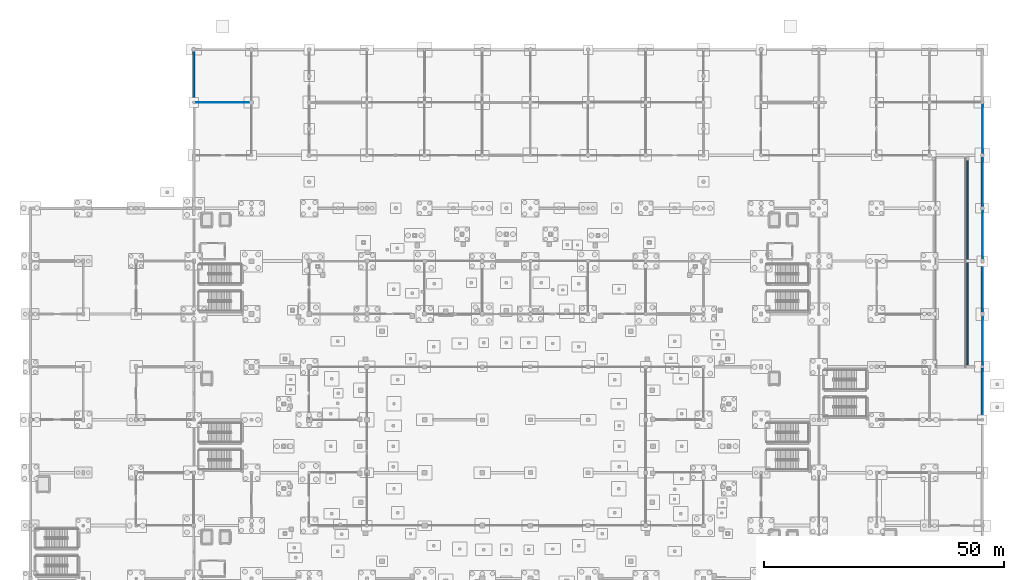
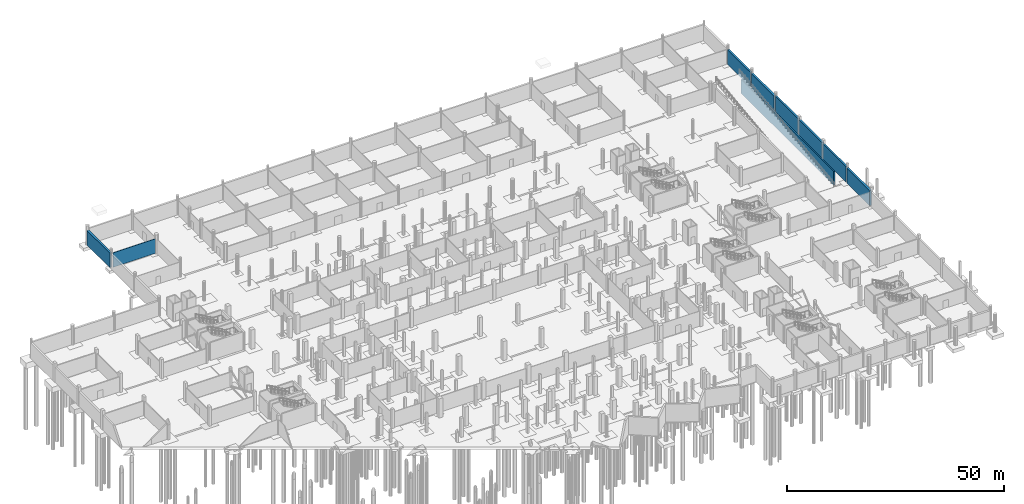
# One storey, part 41 of 60: 9 walls.
"""IFC4 building model written with IfcOpenShell, lengths in metres."""

from ifc_helpers import new_model, si_unit, direction, frame, frame_2d, origin, place, context, subcontext, project, spatial, rectangle, extrude, material, layer, layer_set, type_object, element, save


model = new_model("IFC4")

# Units and contexts
model_context = context("Model", 3, precision=1e-05, world=origin(), true_north=direction((0.0, 1.0)))
body_context = subcontext(model_context, "Body", "Model", "MODEL_VIEW")
ifc_project = project(units=[si_unit("LENGTHUNIT", "METRE"), si_unit("AREAUNIT", "SQUARE_METRE"), si_unit("VOLUMEUNIT", "CUBIC_METRE"), si_unit("PLANEANGLEUNIT", "RADIAN"), si_unit("MASSUNIT", "GRAM", prefix="KILO")], contexts=[model_context])

# Site, building, storey
site_placement = place(None, origin())
site = spatial("IfcSite", under=ifc_project, at=site_placement, CompositionType="ELEMENT")
building_placement = place(site_placement, origin())
building = spatial("IfcBuilding", under=site, at=building_placement, Name="Luwafu Chhajja Arena", CompositionType="ELEMENT")
storey_placement = place(building_placement, frame((0.0, 0.0, -5.39990234375)))
storey = spatial("IfcBuildingStorey", under=building, at=storey_placement, Name="B1", CompositionType="ELEMENT", Elevation=-5.39990234375)

# Walls
ifc_material_1 = material(Name="Acoustic metal-stud gypsum board")
ifc_layer_1 = layer(ifc_material_1, 0.1201171875, Name="Acoustic metal-stud gypsum board")
ifc_layer_set_1 = layer_set([ifc_layer_1], Name="Acoustic metal-stud gypsum board")
wall_type_1 = type_object("IfcWallType", Name="Internal Room Partition 120", PredefinedType="PARTITIONING", material=ifc_layer_set_1)
wall_1_placement = place(storey_placement, frame((34.47998046875, 121.0, 0.0), z_axis=(0.0, 0.0, 1.0), x_axis=(1.0, 0.0, 0.0)))
element("IfcWall", 1, at=wall_1_placement, inside=storey, type_object=wall_type_1, Name="B1 Internal Partition 0105", PredefinedType="PARTITIONING", context=body_context, shape_type="SweptSolid", body=[
    extrude(rectangle(XDim=11.300048828125, YDim=0.1201171875, at=frame_2d((5.64990234375, 0.0))), origin(), (0.0, 0.0, 1.0), 4.079833984375),
])
ifc_material_2 = material(Name="Concrete C40/50", Category="concrete")
ifc_layer_2 = layer(ifc_material_2, 0.43994140625, Name="Concrete C40/50")
ifc_layer_set_2 = layer_set([ifc_layer_2], Name="Concrete C40/50")
wall_type_2 = type_object("IfcWallType", Name="RC Basement Retaining Wall 440", PredefinedType="SOLIDWALL", material=ifc_layer_set_2)
wall_2_placement = place(storey_placement, frame((198.0, 66.2099609375, 0.0), z_axis=(0.0, 0.0, 1.0), x_axis=(0.0, 1.0, 0.0)))
element("IfcWall", 2, at=wall_2_placement, inside=storey, type_object=wall_type_2, Name="B1 Exterior Wall WEX-B1-047", PredefinedType="SOLIDWALL", context=body_context, shape_type="SweptSolid", body=[
    extrude(rectangle(XDim=10.570068359375, YDim=0.43994140625, at=frame_2d((5.28515625, 0.0))), origin(), (0.0, 0.0, 1.0), 4.329833984375),
])
wall_3_placement = place(storey_placement, frame((198.0, 88.219970703125, 0.0), z_axis=(0.0, 0.0, 1.0), x_axis=(0.0, 1.0, 0.0)))
element("IfcWall", 3, at=wall_3_placement, inside=storey, type_object=wall_type_2, Name="B1 Exterior Wall WEX-B1-049", PredefinedType="SOLIDWALL", context=body_context, shape_type="SweptSolid", body=[
    extrude(rectangle(XDim=10.56005859375, YDim=0.43994140625, at=frame_2d((5.280029296875, 0.0))), origin(), (0.0, 0.0, 1.0), 4.429931640625),
])
wall_4_placement = place(storey_placement, frame((198.0, 110.219970703125, 0.0), z_axis=(0.0, 0.0, 1.0), x_axis=(0.0, 1.0, 0.0)))
element("IfcWall", 4, at=wall_4_placement, inside=storey, type_object=wall_type_2, Name="B1 Exterior Wall WEX-B1-051", PredefinedType="SOLIDWALL", context=body_context, shape_type="SweptSolid", body=[
    extrude(rectangle(XDim=10.56005859375, YDim=0.43994140625, at=frame_2d((5.280029296875, 0.0))), origin(), (0.0, 0.0, 1.0), 4.1298828125),
])
ifc_layer_3 = layer(ifc_material_2, 0.52001953125, Name="Concrete C40/50")
ifc_layer_set_3 = layer_set([ifc_layer_3], Name="Concrete C40/50")
wall_type_3 = type_object("IfcWallType", Name="RC Basement Retaining Wall 520", PredefinedType="SOLIDWALL", material=ifc_layer_set_3)
wall_5_placement = place(storey_placement, frame((34.0, 121.219970703125, 0.0), z_axis=(0.0, 0.0, 1.0), x_axis=(0.0, 1.0, 0.0)))
element("IfcWall", 5, at=wall_5_placement, inside=storey, type_object=wall_type_3, Name="B1 Exterior Wall WEX-B1-020", PredefinedType="SOLIDWALL", context=body_context, shape_type="SweptSolid", body=[
    extrude(rectangle(XDim=10.56005859375, YDim=0.52001953125, at=frame_2d((5.280029296875, 0.0))), origin(), (0.0, 0.0, 1.0), 4.079833984375),
])
wall_6_placement = place(storey_placement, frame((198.0, 55.219970703125, 0.0), z_axis=(0.0, 0.0, 1.0), x_axis=(0.0, 1.0, 0.0)))
element("IfcWall", 6, at=wall_6_placement, inside=storey, type_object=wall_type_3, Name="B1 Exterior Wall WEX-B1-046", PredefinedType="SOLIDWALL", context=body_context, shape_type="SweptSolid", body=[
    extrude(rectangle(XDim=10.570068359375, YDim=0.52001953125, at=frame_2d((5.28515625, 0.0))), origin(), (0.0, 0.0, 1.0), 4.22998046875),
])
wall_7_placement = place(storey_placement, frame((198.0, 77.219970703125, 0.0), z_axis=(0.0, 0.0, 1.0), x_axis=(0.0, 1.0, 0.0)))
element("IfcWall", 7, at=wall_7_placement, inside=storey, type_object=wall_type_3, Name="B1 Exterior Wall WEX-B1-048", PredefinedType="SOLIDWALL", context=body_context, shape_type="SweptSolid", body=[
    extrude(rectangle(XDim=10.56005859375, YDim=0.52001953125, at=frame_2d((5.280029296875, 0.0))), origin(), (0.0, 0.0, 1.0), 4.429931640625),
])
wall_8_placement = place(storey_placement, frame((198.0, 99.219970703125, 0.0), z_axis=(0.0, 0.0, 1.0), x_axis=(0.0, 1.0, 0.0)))
element("IfcWall", 8, at=wall_8_placement, inside=storey, type_object=wall_type_3, Name="B1 Exterior Wall WEX-B1-050", PredefinedType="SOLIDWALL", context=body_context, shape_type="SweptSolid", body=[
    extrude(rectangle(XDim=10.56005859375, YDim=0.52001953125, at=frame_2d((5.280029296875, 0.0))), origin(), (0.0, 0.0, 1.0), 4.1298828125),
])
ifc_layer_4 = layer(ifc_material_2, 0.35009765625, Name="Concrete C40/50")
ifc_layer_set_4 = layer_set([ifc_layer_4], Name="Concrete C40/50")
wall_type_4 = type_object("IfcWallType", Name="RC Core Shear Wall 350", PredefinedType="SOLIDWALL", material=ifc_layer_set_4)
wall_9_placement = place(storey_placement, frame((194.85009765625, 66.5, 0.0), z_axis=(0.0, 0.0, 1.0), x_axis=(0.0, 1.0, 0.0)))
element("IfcWall", 9, at=wall_9_placement, inside=storey, type_object=wall_type_4, Name="B1 Vehicle Ramp R1 Retaining Wall E", PredefinedType="SOLIDWALL", context=body_context, shape_type="SweptSolid", body=[
    extrude(rectangle(XDim=42.699951171875, YDim=0.35009765625, at=frame_2d((21.35009765625, 0.0))), origin(), (0.0, 0.0, 1.0), 3.8798828125),
])

save(model, "model.ifc")
